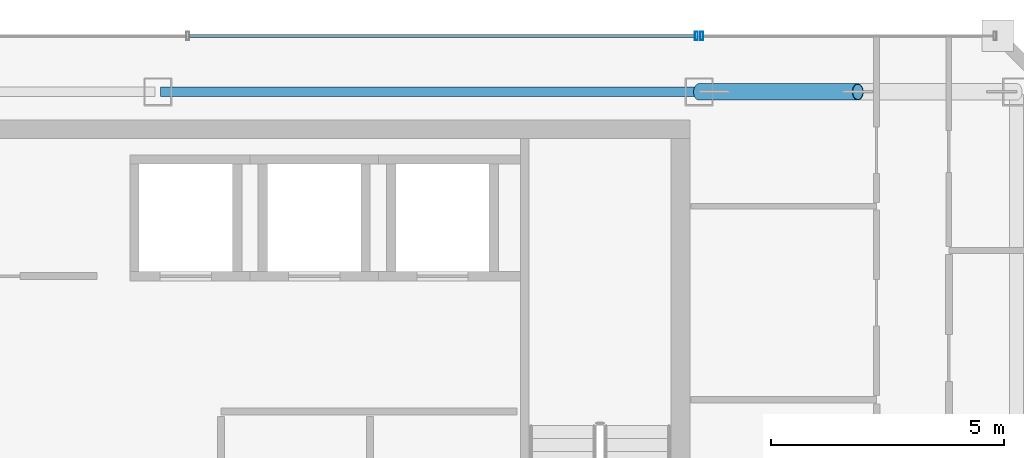
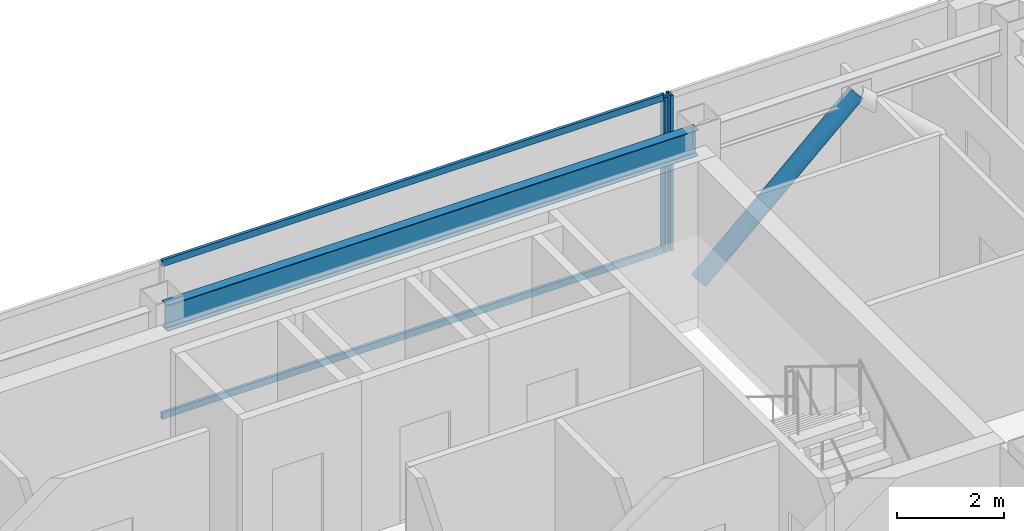
# One storey, part 23 of 32: 5 members, 1 beam, 2 elements without a shape of their own.
"""IFC4 building model written with IfcOpenShell, lengths in metres."""

from ifc_helpers import new_model, si_unit, direction, frame, origin, origin_2d, place, context, subcontext, project, spatial, hollow_rectangle, hollow_circle, i_section, extrude, material, material_profile, profile_set, type_object, element, aggregate, save


model = new_model("IFC4")

# Units and contexts
model_context = context("Model", 3, precision=1e-05, world=origin(), true_north=direction((0.0, 1.0)))
body_context = subcontext(model_context, "Body", "Model", "MODEL_VIEW")
ifc_project = project(units=[si_unit("LENGTHUNIT", "METRE"), si_unit("AREAUNIT", "SQUARE_METRE"), si_unit("VOLUMEUNIT", "CUBIC_METRE"), si_unit("PLANEANGLEUNIT", "RADIAN"), si_unit("MASSUNIT", "GRAM", prefix="KILO")], contexts=[model_context])

# Site, building, storey
site_placement = place(None, origin())
site = spatial("IfcSite", under=ifc_project, at=site_placement, CompositionType="ELEMENT")
building_placement = place(site_placement, origin())
building = spatial("IfcBuilding", under=site, at=building_placement, Name="Saevonmaru Cultural Tower", CompositionType="ELEMENT")
storey_placement = place(building_placement, frame((0.0, 0.0, 261.0)))
storey = spatial("IfcBuildingStorey", under=building, at=storey_placement, Name="L61", CompositionType="ELEMENT", Elevation=261.0)

# Beam
ifc_material_1 = material(Name="Steel SM355", Category="steel")
ifc_material_profile_1 = material_profile(ifc_material_1, i_section(OverallWidth=0.199951171875, OverallDepth=0.60009765625, WebThickness=0.010986328125, FlangeThickness=0.01708984375, FilletRadius=0.02197265625, at=origin_2d()), Name="H-600x200x11x17")
ifc_profile_set_1 = profile_set([ifc_material_profile_1], Name="Steel SM355")
beam_type = type_object("IfcBeamType", Name="BM-SP-H600", PredefinedType="SPANDREL", material=ifc_profile_set_1)
beam_placement = place(storey_placement, frame((34.860107421875, 54.800048828125, 3.25), z_axis=(1.0, 0.0, 0.0), x_axis=(0.0, 1.0, 0.0)))
element("IfcBeam", 1, at=beam_placement, inside=storey, type_object=beam_type, Name="L61 North Spine Girder 4", PredefinedType="SPANDREL", context=body_context, shape_type="SweptSolid", body=[
    extrude(i_section(OverallWidth=0.199951171875, OverallDepth=0.60009765625, WebThickness=0.010986328125, FlangeThickness=0.01708984375, FilletRadius=0.02197265625, at=origin_2d()), origin(), (0.0, 0.0, 1.0), 11.47998046875),
])

# Member
ifc_material_profile_2 = material_profile(ifc_material_1, hollow_circle(Radius=0.177734375, WallThickness=0.01611328125, at=origin_2d()), Name="CHS-355.6x16")
ifc_profile_set_2 = profile_set([ifc_material_profile_2], Name="Steel SM355")
member_type_1 = type_object("IfcMemberType", Name="MB-PBR-CHS356", PredefinedType="BRACE", material=ifc_profile_set_2)
member_1_placement = place(storey_placement, frame((46.39990234375, 54.800048828125, 0.02001953125), z_axis=(0.738959728749, 0.0, 0.673749596873), x_axis=(0.0, 1.0, 0.0)))
element("IfcMember", 2, at=member_1_placement, inside=storey, type_object=member_type_1, Name="L61 Perimeter Braced-Tube Diagonal EN1", PredefinedType="BRACE", context=body_context, shape_type="SweptSolid", body=[
    extrude(hollow_circle(Radius=0.177734375, WallThickness=0.01611328125, at=origin_2d()), origin(), (0.0, 0.0, 1.0), 4.601318359375),
])

# Curtain wall, member
ifc_material_2 = material(Name="Satin Bronze Anodised Aluminium", Category="aluminium")
curtain_wall_type = type_object("IfcCurtainWallType", Name="CW-TYP-B", PredefinedType="NOTDEFINED", material=ifc_material_2)
curtain_wall_1_placement = place(storey_placement, origin())
curtain_wall_1 = element("IfcCurtainWall", 3, at=curtain_wall_1_placement, inside=storey, type_object=curtain_wall_type, Name="L61 East Braced Bay Spandrel Curtain Wall E10A", PredefinedType="NOTDEFINED")
ifc_material_profile_3 = material_profile(ifc_material_2, hollow_rectangle(XDim=0.06494140625, YDim=0.179931640625, WallThickness=0.00390625, at=origin_2d()), Name="ALU-MULL-180x65x4")
ifc_profile_set_3 = profile_set([ifc_material_profile_3], Name="Satin Bronze Anodised Aluminium")
member_type_2 = type_object("IfcMemberType", Name="ML-CW-180x65", PredefinedType="MULLION", material=ifc_profile_set_3)
member_2_placement = place(storey_placement, frame((46.4599609375, 56.0, 0.0), z_axis=(0.0, 0.0, 1.0), x_axis=(-1.0, 0.0, 0.0)))
member_2 = element("IfcMember", 4, at=member_2_placement, type_object=member_type_2, Name="CW-TW-L61-E10A mullion 2", PredefinedType="MULLION", context=body_context, shape_type="SweptSolid", body=[
    extrude(hollow_rectangle(XDim=0.06494140625, YDim=0.179931640625, WallThickness=0.00390625, at=origin_2d()), origin(), (0.0, 0.0, 1.0), 3.550048828125),
])
aggregate(curtain_wall_1, [member_2])

# Curtain wall, members
curtain_wall_2_placement = place(storey_placement, origin())
curtain_wall_2 = element("IfcCurtainWall", 5, at=curtain_wall_2_placement, inside=storey, type_object=curtain_wall_type, Name="L61 North Spine Unitised Curtain Wall E10B", PredefinedType="NOTDEFINED")
member_3_placement = place(storey_placement, frame((46.340087890625, 56.0, 0.0), z_axis=(0.0, 0.0, 1.0), x_axis=(-1.0, 0.0, 0.0)))
member_3 = element("IfcMember", 6, at=member_3_placement, type_object=member_type_2, Name="CW-TW-L61-E10B mullion 1", PredefinedType="MULLION", context=body_context, shape_type="SweptSolid", body=[
    extrude(hollow_rectangle(XDim=0.06494140625, YDim=0.179931640625, WallThickness=0.00390625, at=origin_2d()), origin(), (0.0, 0.0, 1.0), 3.550048828125),
])
ifc_material_profile_4 = material_profile(ifc_material_2, hollow_rectangle(XDim=0.06494140625, YDim=0.14990234375, WallThickness=0.00390625, at=origin_2d()), Name="ALU-TRAN-150x65x4")
ifc_profile_set_4 = profile_set([ifc_material_profile_4], Name="Satin Bronze Anodised Aluminium")
member_type_3 = type_object("IfcMemberType", Name="TR-CW-150x65", PredefinedType="USERDEFINED", material=ifc_profile_set_4)
member_4_placement = place(storey_placement, frame((46.3076171875, 56.0, 0.032470703125), z_axis=(-1.0, 0.0, 0.0), x_axis=(0.0, -1.0, 0.0)))
member_4 = element("IfcMember", 7, at=member_4_placement, type_object=member_type_3, Name="CW-TW-L61-E10B transom 1.1", ObjectType="TRANSOM", PredefinedType="USERDEFINED", context=body_context, shape_type="SweptSolid", body=[
    extrude(hollow_rectangle(XDim=0.06494140625, YDim=0.14990234375, WallThickness=0.00390625, at=origin_2d()), origin(), (0.0, 0.0, 1.0), 10.828369140625),
])
member_5_placement = place(storey_placement, frame((46.3076171875, 56.0, 3.517578125), z_axis=(-1.0, 0.0, 0.0), x_axis=(0.0, -1.0, 0.0)))
member_5 = element("IfcMember", 8, at=member_5_placement, type_object=member_type_3, Name="CW-TW-L61-E10B transom 1.2", ObjectType="TRANSOM", PredefinedType="USERDEFINED", context=body_context, shape_type="SweptSolid", body=[
    extrude(hollow_rectangle(XDim=0.06494140625, YDim=0.14990234375, WallThickness=0.00390625, at=origin_2d()), origin(), (0.0, 0.0, 1.0), 10.828369140625),
])
aggregate(curtain_wall_2, [member_3, member_4, member_5])

save(model, "model.ifc")
